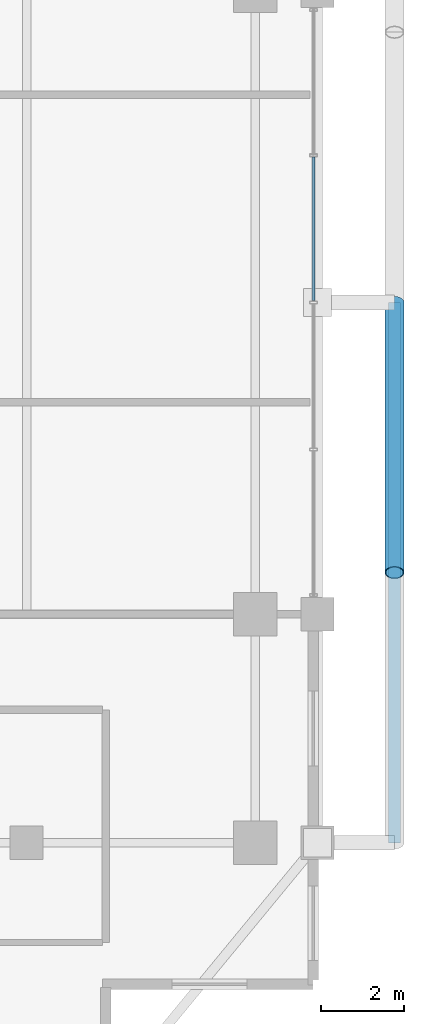
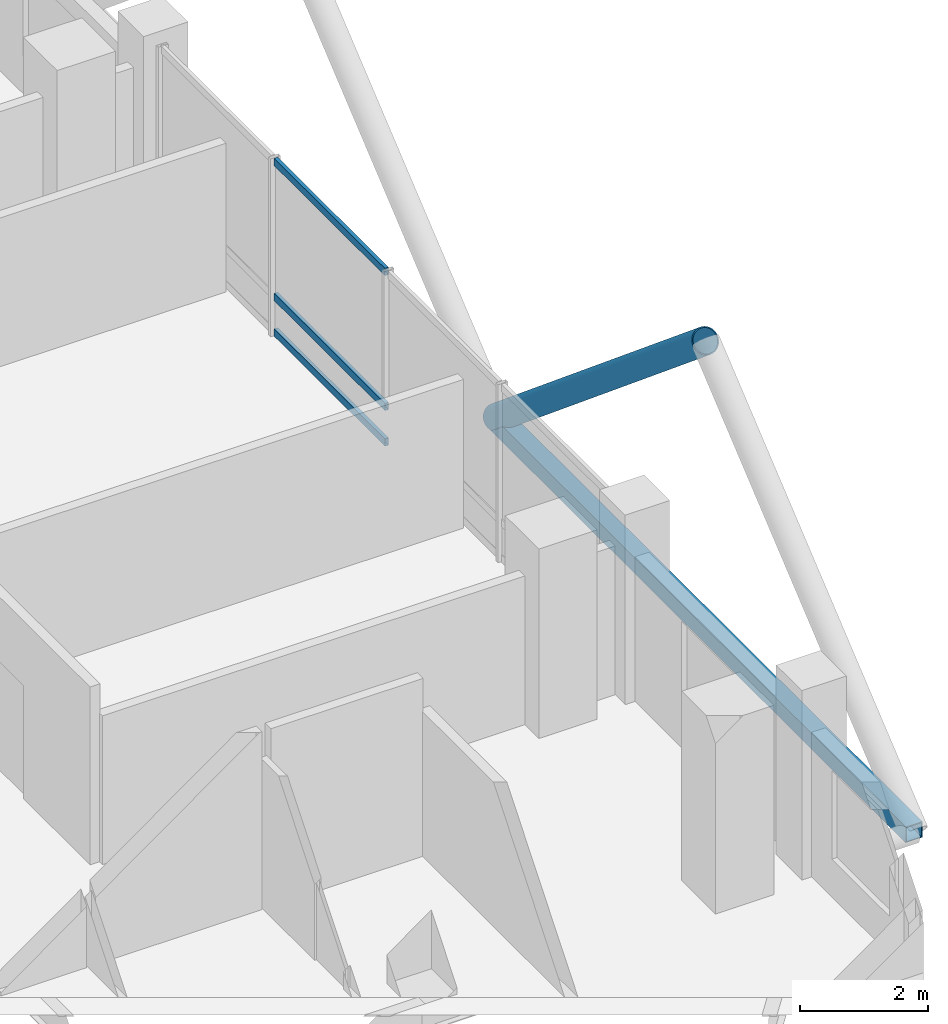
# One storey, part 12 of 26: 5 members, 1 element without a shape of its own.
"""IFC4 building model written with IfcOpenShell, lengths in metres."""

from ifc_helpers import new_model, si_unit, direction, frame, origin, origin_2d, place, context, subcontext, project, spatial, hollow_rectangle, hollow_circle, extrude, material, layer, layer_set, material_profile, profile_set, type_object, element, aggregate, save


model = new_model("IFC4")

# Units and contexts
model_context = context("Model", 3, precision=1e-05, world=origin(), true_north=direction((0.0, 1.0)))
body_context = subcontext(model_context, "Body", "Model", "MODEL_VIEW")
ifc_project = project(units=[si_unit("LENGTHUNIT", "METRE"), si_unit("AREAUNIT", "SQUARE_METRE"), si_unit("VOLUMEUNIT", "CUBIC_METRE"), si_unit("PLANEANGLEUNIT", "RADIAN"), si_unit("MASSUNIT", "GRAM", prefix="KILO")], contexts=[model_context])

# Site, building, storey
site_placement = place(None, origin())
site = spatial("IfcSite", under=ifc_project, at=site_placement, CompositionType="ELEMENT")
building_placement = place(site_placement, origin())
building = spatial("IfcBuilding", under=site, at=building_placement, Name="Barlavira Tower and Art Museum", CompositionType="ELEMENT")
storey_placement = place(building_placement, frame((0.0, 0.0, 187.199951171875)))
storey = spatial("IfcBuildingStorey", under=building, at=storey_placement, Name="L48", CompositionType="ELEMENT", Elevation=187.199951171875)

# Curtain wall, members
ifc_material_1 = material(Name="Low-iron coastal laminated glass", Category="glass")
ifc_layer = layer(ifc_material_1, 0.199951171875, Name="Low-iron coastal laminated glass")
ifc_layer_set = layer_set([ifc_layer], Name="Low-iron coastal laminated glass")
curtain_wall_type = type_object("IfcCurtainWallType", Name="Pale-Metal Unitised Curtain Wall Zone 3", PredefinedType="NOTDEFINED", material=ifc_layer_set)
curtain_wall_placement = place(storey_placement, origin())
curtain_wall = element("IfcCurtainWall", 1, at=curtain_wall_placement, inside=storey, type_object=curtain_wall_type, Name="L48 Curtain Wall CW3-L48-E-B3", PredefinedType="NOTDEFINED")
ifc_material_2 = material(Name="Pale anodised aluminium", Category="aluminium")
ifc_material_profile_1 = material_profile(ifc_material_2, hollow_rectangle(XDim=0.06494140625, YDim=0.139892578125, WallThickness=0.00390625, at=origin_2d()), Name="ALU-TRAN 65x140x4")
ifc_profile_set_1 = profile_set([ifc_material_profile_1], Name="Pale anodised aluminium")
member_type_1 = type_object("IfcMemberType", Name="Curtain Wall Pale-Metal Transom 65x140", PredefinedType="USERDEFINED", material=ifc_profile_set_1)
member_1_placement = place(storey_placement, frame((18.39990234375, 0.044921875, 0.070068359375), z_axis=(0.0, 1.0, 0.0), x_axis=(-1.0, 0.0, 0.0)))
member_1 = element("IfcMember", 2, at=member_1_placement, type_object=member_type_1, Name="CW3-L48-E-B3 Transom 2.1", ObjectType="TRANSOM", PredefinedType="USERDEFINED", context=body_context, shape_type="SweptSolid", body=[
    extrude(hollow_rectangle(XDim=0.06494140625, YDim=0.139892578125, WallThickness=0.00390625, at=origin_2d()), origin(), (0.0, 0.0, 1.0), 3.4501953125),
])
member_2_placement = place(storey_placement, frame((18.39990234375, 0.044921875, 0.744140625), z_axis=(0.0, 1.0, 0.0), x_axis=(-1.0, 0.0, 0.0)))
member_2 = element("IfcMember", 3, at=member_2_placement, type_object=member_type_1, Name="CW3-L48-E-B3 Transom 2.2", ObjectType="TRANSOM", PredefinedType="USERDEFINED", context=body_context, shape_type="SweptSolid", body=[
    extrude(hollow_rectangle(XDim=0.06494140625, YDim=0.139892578125, WallThickness=0.00390625, at=origin_2d()), origin(), (0.0, 0.0, 1.0), 3.4501953125),
])
member_3_placement = place(storey_placement, frame((18.39990234375, 0.044921875, 3.31005859375), z_axis=(0.0, 1.0, 0.0), x_axis=(-1.0, 0.0, 0.0)))
member_3 = element("IfcMember", 4, at=member_3_placement, type_object=member_type_1, Name="CW3-L48-E-B3 Transom 2.3", ObjectType="TRANSOM", PredefinedType="USERDEFINED", context=body_context, shape_type="SweptSolid", body=[
    extrude(hollow_rectangle(XDim=0.06494140625, YDim=0.139892578125, WallThickness=0.00390625, at=origin_2d()), origin(), (0.0, 0.0, 1.0), 3.4501953125),
])
aggregate(curtain_wall, [member_1, member_2, member_3])

# Members
ifc_material_3 = material(Name="Steel S355", Category="steel")
ifc_material_profile_2 = material_profile(ifc_material_3, hollow_circle(Radius=0.228515625, WallThickness=0.02001953125, at=origin_2d()), Name="CHS 457.0x20.0")
ifc_profile_set_2 = profile_set([ifc_material_profile_2], Name="Steel S355")
member_type_2 = type_object("IfcMemberType", Name="Pale-Metal Exoskeleton Diagrid Tube CHS 457x20 Steel S355", PredefinedType="BRACE", material=ifc_profile_set_2)
member_4_placement = place(storey_placement, frame((20.35009765625, 0.0, -0.119873046875), z_axis=(0.0, -0.769196053329, 0.639012857104), x_axis=(1.0, 0.0, 0.0)))
element("IfcMember", 5, at=member_4_placement, inside=storey, type_object=member_type_2, Name="L48 Exoskeleton Diagrid Tube E", PredefinedType="BRACE", context=body_context, shape_type="SweptSolid", body=[
    extrude(hollow_circle(Radius=0.228515625, WallThickness=0.02001953125, at=origin_2d()), origin(), (0.0, 0.0, 1.0), 8.450439453125),
])
ifc_material_profile_3 = material_profile(ifc_material_3, hollow_rectangle(XDim=0.300048828125, YDim=0.300048828125, WallThickness=0.01611328125, at=origin_2d()), Name="SHS 300x300x16.0")
ifc_profile_set_3 = profile_set([ifc_material_profile_3], Name="Steel S355")
member_type_3 = type_object("IfcMemberType", Name="Pale-Metal Upper Ring Strut SHS 300x300x16 Steel S355", PredefinedType="STRUT", material=ifc_profile_set_3)
member_5_placement = place(storey_placement, frame((20.35009765625, -13.0, -0.119873046875), z_axis=(0.0, 1.0, 0.0), x_axis=(-1.0, 0.0, 0.0)))
element("IfcMember", 6, at=member_5_placement, inside=storey, type_object=member_type_3, Name="L48 Exoskeleton Ring Strut E", PredefinedType="STRUT", context=body_context, shape_type="SweptSolid", body=[
    extrude(hollow_rectangle(XDim=0.300048828125, YDim=0.300048828125, WallThickness=0.01611328125, at=origin_2d()), origin(), (0.0, 0.0, 1.0), 13.0),
])

save(model, "model.ifc")
